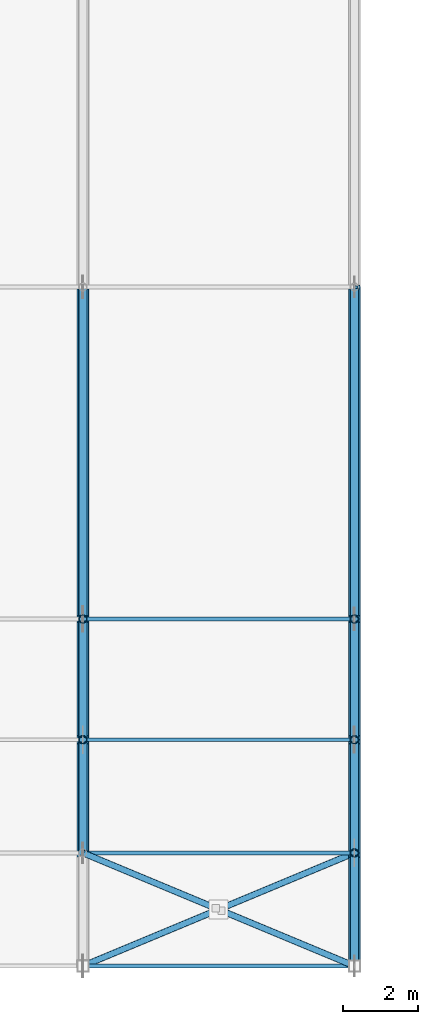
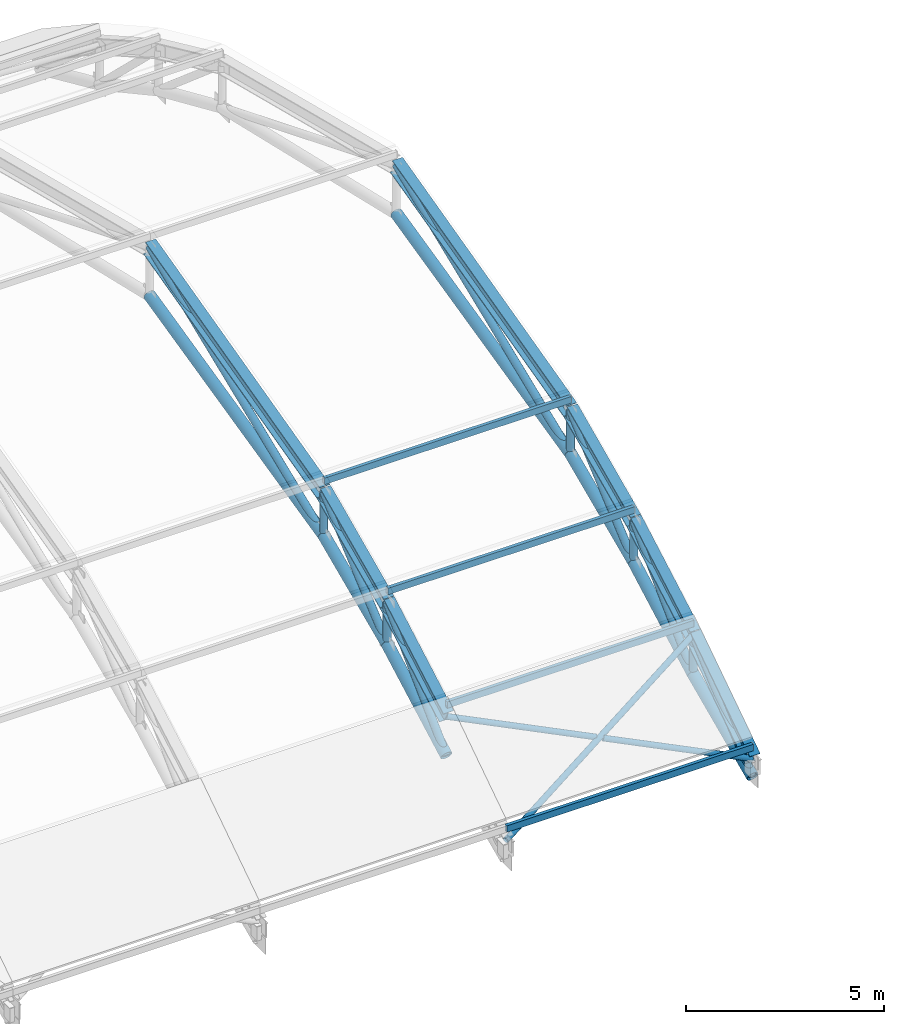
# One storey, part 19 of 63: 26 members, 7 beams.
"""IFC4 building model written with IfcOpenShell, lengths in metres."""

import ifcopenshell
import ifcopenshell.guid

model = None  # the IFC model being written
_history = None  # IfcOwnerHistory: only IFC2X3 demands one
_inside = {}  # id of a spatial element -> (the spatial element, [elements in it])
_under = {}  # id of a project, library or spatial element -> (it, [spatial elements below it])
_declared = {}  # id of a project -> (the project, [libraries it declares])
_typed = {}  # id of a type object -> (the type object, [elements of that type])
_made_of = {}  # id of a material, layer set ... -> (it, [elements and type objects made of it])


def new_model(schema):
    """Start an empty IFC model of exactly this schema.

    Asked for "IFC4X3", IfcOpenShell would pick the latest addendum, in which some entities
    have other attributes; the version numbers below select the first issue.
    IFC2X3 requires an IfcOwnerHistory on every rooted entity: one is made here for all.
    """
    global model, _history
    if schema == "IFC4X3":
        model = ifcopenshell.file(schema_version=(4, 3, 0, 0))
    else:
        model = ifcopenshell.file(schema=schema)
    _inside.clear()
    _under.clear()
    _declared.clear()
    _typed.clear()
    _made_of.clear()
    _history = None
    if model.schema == "IFC2X3":
        org = make("IfcOrganization", Name="unknown")
        user = make(
            "IfcPersonAndOrganization",
            ThePerson=make("IfcPerson", FamilyName="unknown"),
            TheOrganization=org,
        )
        app = make(
            "IfcApplication",
            ApplicationDeveloper=org,
            Version="unknown",
            ApplicationFullName="unknown",
            ApplicationIdentifier="unknown",
        )
        _history = make(
            "IfcOwnerHistory",
            OwningUser=user,
            OwningApplication=app,
            ChangeAction="ADDED",
            CreationDate=0,
        )
    return model


def make(cls, **values):
    """One entity of the class cls with the attributes given. An attribute that is None is left unset."""
    return model.create_entity(
        cls, **{name: value for name, value in values.items() if value is not None}
    )


def rooted(cls, **values):
    """An entity with a GlobalId (a new one), such as an element, a storey or a relation."""
    return make(cls, GlobalId=ifcopenshell.guid.new(), OwnerHistory=_history, **values)


def si_unit(unit_type, name, prefix=None):
    """IfcSIUnit, for example si_unit("LENGTHUNIT", "METRE", prefix="MILLI")."""
    return make("IfcSIUnit", UnitType=unit_type, Prefix=prefix, Name=name)


def assignment(units):
    """IfcUnitAssignment: the units of a project."""
    return None if units is None else make("IfcUnitAssignment", Units=units)


def point(xyz):
    """IfcCartesianPoint."""
    return None if xyz is None else make("IfcCartesianPoint", Coordinates=xyz)


def direction(xyz):
    """IfcDirection."""
    return None if xyz is None else make("IfcDirection", DirectionRatios=xyz)


def frame(location, z_axis=None, x_axis=None):
    """IfcAxis2Placement3D, a coordinate frame: its origin and axes. An axis left out is left unset."""
    return make(
        "IfcAxis2Placement3D",
        Location=point(location),
        Axis=direction(z_axis),
        RefDirection=direction(x_axis),
    )


def frame_2d(location, x_axis=None):
    """IfcAxis2Placement2D, a coordinate frame in the plane: its origin and x axis."""
    return make(
        "IfcAxis2Placement2D", Location=point(location), RefDirection=direction(x_axis)
    )


def origin():
    """The frame at (0, 0, 0) with its axes left unset."""
    return frame((0.0, 0.0, 0.0))


def origin_2d():
    """The frame at (0, 0) in the plane with its x axis left unset."""
    return frame_2d((0.0, 0.0))


def place(relative_to, where):
    """IfcLocalPlacement: puts the frame where relative to a parent placement (None: the world)."""
    return make(
        "IfcLocalPlacement", PlacementRelTo=relative_to, RelativePlacement=where
    )


def context(
    kind, dimensions, precision=None, world=None, true_north=None, identifier=None
):
    """IfcGeometricRepresentationContext, for example the 3D "Model" context."""
    return make(
        "IfcGeometricRepresentationContext",
        ContextIdentifier=identifier,
        ContextType=kind,
        CoordinateSpaceDimension=dimensions,
        Precision=precision,
        WorldCoordinateSystem=world,
        TrueNorth=true_north,
    )


def subcontext(parent, identifier, kind, view, scale=None):
    """IfcGeometricRepresentationSubContext, for example "Body" below "Model"."""
    return make(
        "IfcGeometricRepresentationSubContext",
        ContextIdentifier=identifier,
        ContextType=kind,
        ParentContext=parent,
        TargetScale=scale,
        TargetView=view,
    )


def project(units=None, contexts=None):
    """IfcProject with its units and contexts."""
    return rooted(
        "IfcProject",
        Name="project",
        RepresentationContexts=contexts,
        UnitsInContext=assignment(units),
    )


def spatial(cls, under=None, at=None, **own):
    """A site, building, storey or space (cls), placed at a placement, below another one or the project."""
    s = rooted(cls, ObjectPlacement=at, **own)
    if under is not None:
        _under.setdefault(under.id(), (under, []))[1].append(s)
    return s


def profile(cls, at=None, kind="AREA", **sizes):
    """A parametric profile (cls). Its sizes go by their IFC names, for example OverallWidth=200.0."""
    return make(cls, ProfileType=kind, Position=at, **sizes)


def hollow_rectangle(**sizes):
    """IfcRectangleHollowProfileDef."""
    return profile("IfcRectangleHollowProfileDef", **sizes)


def hollow_circle(**sizes):
    """IfcCircleHollowProfileDef."""
    return profile("IfcCircleHollowProfileDef", **sizes)


def i_section(**sizes):
    """IfcIShapeProfileDef."""
    return profile("IfcIShapeProfileDef", **sizes)


def extrude(swept, where, along, depth):
    """IfcExtrudedAreaSolid: the profile swept, set in the frame where, extruded along a direction by depth."""
    return make(
        "IfcExtrudedAreaSolid",
        SweptArea=swept,
        Position=where,
        ExtrudedDirection=direction(along),
        Depth=depth,
    )


def shape(context_of_items, identifier, shape_type, items):
    """IfcShapeRepresentation: the items that make up one representation, for example the "Body"."""
    return make(
        "IfcShapeRepresentation",
        ContextOfItems=context_of_items,
        RepresentationIdentifier=identifier,
        RepresentationType=shape_type,
        Items=items,
    )


def material(Name=None, Category=None):
    """IfcMaterial."""
    return make("IfcMaterial", Name=Name, Category=Category)


def material_profile(
    of_material, cross_section, Name=None, Category=None, Priority=None
):
    """IfcMaterialProfile: a cross section and its material."""
    return make(
        "IfcMaterialProfile",
        Name=Name,
        Material=of_material,
        Profile=cross_section,
        Priority=Priority,
        Category=Category,
    )


def profile_set(profiles, Name=None, composite=None):
    """IfcMaterialProfileSet."""
    return make(
        "IfcMaterialProfileSet",
        Name=Name,
        MaterialProfiles=profiles,
        CompositeProfile=composite,
    )


def made_of(thing, what):
    """Note that an element or type object is made of a material, layer set ...; save() writes the relation."""
    if what is not None:
        _made_of.setdefault(what.id(), (what, []))[1].append(thing)
    return thing


def type_object(cls, material=None, **own):
    """A type object (cls), such as IfcWallType, which elements share."""
    return made_of(rooted(cls, **own), material)


def element(
    cls,
    number,
    at=None,
    inside=None,
    cuts=None,
    type_object=None,
    material=None,
    context=None,
    identifier="Body",
    shape_type=None,
    held_by="IfcProductDefinitionShape",
    body=None,
    shapes=None,
    **own,
):
    """One element of the class cls, such as IfcWall. Its Tag is "e" and its number.

    at: its placement. inside: the storey or other place that contains it. cuts: it is an
    opening in that element (IfcRelVoidsElement). A single representation is given by context,
    identifier, shape_type and body (its items); several are given by shapes. held_by: the class
    of the entity that holds the representations. save() writes the other relations.
    """
    e = rooted(cls, Tag="e%d" % number, ObjectPlacement=at, **own)
    if body is not None:
        shapes = [shape(context, identifier, shape_type, body)]
    if shapes is not None:
        e.Representation = make(held_by, Representations=shapes)
    if inside is not None:
        _inside.setdefault(inside.id(), (inside, []))[1].append(e)
    if cuts is not None:
        rooted(
            "IfcRelVoidsElement", RelatingBuildingElement=cuts, RelatedOpeningElement=e
        )
    if type_object is not None:
        _typed.setdefault(type_object.id(), (type_object, []))[1].append(e)
    return made_of(e, material)


def aggregate(whole, parts):
    """IfcRelAggregates: a whole, such as a stair, and the parts it consists of."""
    return rooted("IfcRelAggregates", RelatingObject=whole, RelatedObjects=parts)


def save(model, path):
    """Write the relations noted so far, then the file.

    IfcRelAggregates (storeys below a building ...), IfcRelContainedInSpatialStructure (elements
    in a storey), IfcRelDefinesByType, IfcRelAssociatesMaterial and IfcRelDeclares: one each for
    every whole, place, type object, material and project.
    """
    for whole, parts in _under.values():
        aggregate(whole, parts)
    for where, things in _inside.values():
        rooted(
            "IfcRelContainedInSpatialStructure",
            RelatedElements=things,
            RelatingStructure=where,
        )
    for kind, things in _typed.values():
        rooted("IfcRelDefinesByType", RelatedObjects=things, RelatingType=kind)
    for what, things in _made_of.values():
        rooted("IfcRelAssociatesMaterial", RelatedObjects=things, RelatingMaterial=what)
    for by, libraries in _declared.values():
        rooted("IfcRelDeclares", RelatingContext=by, RelatedDefinitions=libraries)
    model.write(path)


model = new_model("IFC4")

# Units and contexts
model_context = context("Model", 3, precision=1e-05, world=origin(), true_north=direction((0.0, 1.0)))
body_context = subcontext(model_context, "Body", "Model", "MODEL_VIEW")
ifc_project = project(units=[si_unit("LENGTHUNIT", "METRE"), si_unit("AREAUNIT", "SQUARE_METRE"), si_unit("VOLUMEUNIT", "CUBIC_METRE"), si_unit("PLANEANGLEUNIT", "RADIAN"), si_unit("MASSUNIT", "GRAM", prefix="KILO")], contexts=[model_context])

# Site, building, storey
site_placement = place(None, origin())
site = spatial("IfcSite", under=ifc_project, at=site_placement, CompositionType="ELEMENT")
building_placement = place(site_placement, origin())
building = spatial("IfcBuilding", under=site, at=building_placement, Name="Solvadek Multi-Sports Hall", CompositionType="ELEMENT")
storey_placement = place(building_placement, frame((0.0, 0.0, 19.199951171875)))
storey = spatial("IfcBuildingStorey", under=building, at=storey_placement, Name="RF", CompositionType="ELEMENT", Elevation=19.199951171875)

# Members
ifc_material_1 = material(Name="Steel E350 (350 MPa)", Category="steel")
ifc_material_profile_1 = material_profile(ifc_material_1, hollow_circle(Radius=0.084228515625, WallThickness=0.008056640625, at=origin_2d()), Name="CHS 168.3x8")
ifc_profile_set_1 = profile_set([ifc_material_profile_1], Name="Steel E350 (350 MPa)")
member_type_1 = type_object("IfcMemberType", Name="STR-BRC-CHS168", PredefinedType="BRACE", material=ifc_profile_set_1)
member_1_placement = place(storey_placement, frame((129.60009765625, 6.0, -3.550048828125), z_axis=(0.894028733366, 0.372514498511, 0.248888674542), x_axis=(-0.384617607118, 0.923075997031, 0.0)))
element("IfcMember", 1, at=member_1_placement, inside=storey, type_object=member_type_1, Name="V1 Roof Plan Brace #9", PredefinedType="BRACE", context=body_context, shape_type="SweptSolid", body=[
    extrude(hollow_circle(Radius=0.084228515625, WallThickness=0.008056640625, at=origin_2d()), origin(), (0.0, 0.0, 1.0), 8.053466796875),
])
member_2_placement = place(storey_placement, frame((129.60009765625, 9.0, -1.545654296875), z_axis=(0.894016396206, -0.372548198419, -0.248882548944), x_axis=(0.384651776791, 0.923061758828, 0.0)))
element("IfcMember", 2, at=member_2_placement, inside=storey, type_object=member_type_1, Name="V1 Roof Plan Half-Brace #10A", PredefinedType="BRACE", context=body_context, shape_type="SweptSolid", body=[
    extrude(hollow_circle(Radius=0.084228515625, WallThickness=0.008056640625, at=origin_2d()), origin(), (0.0, 0.0, 1.0), 3.9345703125),
])
member_3_placement = place(storey_placement, frame((133.2822265625, 7.4658203125, -2.57080078125), z_axis=(0.894028850757, -0.372527532788, -0.248868743173), x_axis=(0.384629030944, 0.923071236988, 0.0)))
element("IfcMember", 3, at=member_3_placement, inside=storey, type_object=member_type_1, Name="V1 Roof Plan Half-Brace #10B", PredefinedType="BRACE", context=body_context, shape_type="SweptSolid", body=[
    extrude(hollow_circle(Radius=0.084228515625, WallThickness=0.008056640625, at=origin_2d()), origin(), (0.0, 0.0, 1.0), 3.934814453125),
])
ifc_material_profile_2 = material_profile(ifc_material_1, hollow_circle(Radius=0.109619140625, WallThickness=0.010009765625, at=origin_2d()), Name="CHS 219.1x10")
ifc_profile_set_2 = profile_set([ifc_material_profile_2], Name="Steel E350 (350 MPa)")
member_type_2 = type_object("IfcMemberType", Name="STR-BRC-CHS219", PredefinedType="BRACE", material=ifc_profile_set_2)
member_4_placement = place(storey_placement, frame((129.60009765625, 9.0, -2.754150390625), z_axis=(0.0, 0.718473942669, 0.695553875487), x_axis=(-1.0, 0.0, 0.0)))
element("IfcMember", 4, at=member_4_placement, inside=storey, type_object=member_type_2, Name="v1 Truss 7 Web Diagonal 2", PredefinedType="BRACE", context=body_context, shape_type="SweptSolid", body=[
    extrude(hollow_circle(Radius=0.109619140625, WallThickness=0.010009765625, at=origin_2d()), origin(), (0.0, 0.0, 1.0), 4.175537109375),
])
member_5_placement = place(storey_placement, frame((129.60009765625, 12.0, -1.11669921875), z_axis=(0.0, 0.0, 1.0), x_axis=(1.0, 0.0, 0.0)))
element("IfcMember", 5, at=member_5_placement, inside=storey, type_object=member_type_2, Name="v1 Truss 7 Web Vertical 2", PredefinedType="BRACE", context=body_context, shape_type="SweptSolid", body=[
    extrude(hollow_circle(Radius=0.109619140625, WallThickness=0.010009765625, at=origin_2d()), origin(), (0.0, 0.0, 1.0), 1.266845703125),
])
member_6_placement = place(storey_placement, frame((129.60009765625, 12.0, -1.11669921875), z_axis=(0.0, 0.760074683686, 0.649835729411), x_axis=(-1.0, 0.0, 0.0)))
element("IfcMember", 6, at=member_6_placement, inside=storey, type_object=member_type_2, Name="v1 Truss 7 Web Diagonal 3", PredefinedType="BRACE", context=body_context, shape_type="SweptSolid", body=[
    extrude(hollow_circle(Radius=0.109619140625, WallThickness=0.010009765625, at=origin_2d()), origin(), (0.0, 0.0, 1.0), 4.2099609375),
])
member_7_placement = place(storey_placement, frame((129.60009765625, 15.199951171875, 0.2900390625), z_axis=(0.0, 0.0, 1.0), x_axis=(1.0, 0.0, 0.0)))
element("IfcMember", 7, at=member_7_placement, inside=storey, type_object=member_type_2, Name="v1 Truss 7 Web Vertical 3", PredefinedType="BRACE", context=body_context, shape_type="SweptSolid", body=[
    extrude(hollow_circle(Radius=0.109619140625, WallThickness=0.010009765625, at=origin_2d()), origin(), (0.0, 0.0, 1.0), 1.3291015625),
])
member_8_placement = place(storey_placement, frame((129.60009765625, 15.199951171875, 0.2900390625), z_axis=(0.0, 0.927015158586, 0.375023860244), x_axis=(-1.0, 0.0, 0.0)))
element("IfcMember", 8, at=member_8_placement, inside=storey, type_object=member_type_2, Name="v1 Truss 7 Web Diagonal 4", PredefinedType="BRACE", context=body_context, shape_type="SweptSolid", body=[
    extrude(hollow_circle(Radius=0.109619140625, WallThickness=0.010009765625, at=origin_2d()), origin(), (0.0, 0.0, 1.0), 9.492919921875),
])
member_9_placement = place(storey_placement, frame((136.800048828125, 6.0, -4.099853515625), z_axis=(0.0, 0.761413137307, 0.648266946818), x_axis=(-1.0, 0.0, 0.0)))
element("IfcMember", 9, at=member_9_placement, inside=storey, type_object=member_type_2, Name="v1 Truss 8 Web Diagonal 1", PredefinedType="BRACE", context=body_context, shape_type="SweptSolid", body=[
    extrude(hollow_circle(Radius=0.109619140625, WallThickness=0.010009765625, at=origin_2d()), origin(), (0.0, 0.0, 1.0), 3.93994140625),
])
member_10_placement = place(storey_placement, frame((136.800048828125, 9.0, -2.754150390625), z_axis=(0.0, 0.0, 1.0), x_axis=(1.0, 0.0, 0.0)))
element("IfcMember", 10, at=member_10_placement, inside=storey, type_object=member_type_2, Name="v1 Truss 8 Web Vertical 1", PredefinedType="BRACE", context=body_context, shape_type="SweptSolid", body=[
    extrude(hollow_circle(Radius=0.109619140625, WallThickness=0.010009765625, at=origin_2d()), origin(), (0.0, 0.0, 1.0), 1.20849609375),
])
member_11_placement = place(storey_placement, frame((136.800048828125, 9.0, -2.754150390625), z_axis=(0.0, 0.718473942669, 0.695553875487), x_axis=(-1.0, 0.0, 0.0)))
element("IfcMember", 11, at=member_11_placement, inside=storey, type_object=member_type_2, Name="v1 Truss 8 Web Diagonal 2", PredefinedType="BRACE", context=body_context, shape_type="SweptSolid", body=[
    extrude(hollow_circle(Radius=0.109619140625, WallThickness=0.010009765625, at=origin_2d()), origin(), (0.0, 0.0, 1.0), 4.175537109375),
])
member_12_placement = place(storey_placement, frame((136.800048828125, 12.0, -1.11669921875), z_axis=(0.0, 0.0, 1.0), x_axis=(1.0, 0.0, 0.0)))
element("IfcMember", 12, at=member_12_placement, inside=storey, type_object=member_type_2, Name="v1 Truss 8 Web Vertical 2", PredefinedType="BRACE", context=body_context, shape_type="SweptSolid", body=[
    extrude(hollow_circle(Radius=0.109619140625, WallThickness=0.010009765625, at=origin_2d()), origin(), (0.0, 0.0, 1.0), 1.266845703125),
])
member_13_placement = place(storey_placement, frame((136.800048828125, 12.0, -1.11669921875), z_axis=(0.0, 0.760074683686, 0.649835729411), x_axis=(-1.0, 0.0, 0.0)))
element("IfcMember", 13, at=member_13_placement, inside=storey, type_object=member_type_2, Name="v1 Truss 8 Web Diagonal 3", PredefinedType="BRACE", context=body_context, shape_type="SweptSolid", body=[
    extrude(hollow_circle(Radius=0.109619140625, WallThickness=0.010009765625, at=origin_2d()), origin(), (0.0, 0.0, 1.0), 4.2099609375),
])
member_14_placement = place(storey_placement, frame((136.800048828125, 15.199951171875, 0.2900390625), z_axis=(0.0, 0.0, 1.0), x_axis=(1.0, 0.0, 0.0)))
element("IfcMember", 14, at=member_14_placement, inside=storey, type_object=member_type_2, Name="v1 Truss 8 Web Vertical 3", PredefinedType="BRACE", context=body_context, shape_type="SweptSolid", body=[
    extrude(hollow_circle(Radius=0.109619140625, WallThickness=0.010009765625, at=origin_2d()), origin(), (0.0, 0.0, 1.0), 1.3291015625),
])
member_15_placement = place(storey_placement, frame((136.800048828125, 15.199951171875, 0.2900390625), z_axis=(0.0, 0.927015158586, 0.375023860244), x_axis=(-1.0, 0.0, 0.0)))
element("IfcMember", 15, at=member_15_placement, inside=storey, type_object=member_type_2, Name="v1 Truss 8 Web Diagonal 4", PredefinedType="BRACE", context=body_context, shape_type="SweptSolid", body=[
    extrude(hollow_circle(Radius=0.109619140625, WallThickness=0.010009765625, at=origin_2d()), origin(), (0.0, 0.0, 1.0), 9.492919921875),
])
ifc_material_profile_3 = material_profile(ifc_material_1, hollow_circle(Radius=0.161865234375, WallThickness=0.012451171875, at=origin_2d()), Name="CHS 323.9x12.5")
ifc_profile_set_3 = profile_set([ifc_material_profile_3], Name="Steel E350 (350 MPa)")
member_type_3 = type_object("IfcMemberType", Name="STR-CHD-CHS323", PredefinedType="CHORD", material=ifc_profile_set_3)
member_16_placement = place(storey_placement, frame((129.60009765625, 9.0, -2.754150390625), z_axis=(0.0, 0.877761773463, 0.479097348195), x_axis=(-1.0, 0.0, 0.0)))
element("IfcMember", 16, at=member_16_placement, inside=storey, type_object=member_type_3, Name="v1 Arched Truss 7 Bottom Chord 2", PredefinedType="CHORD", context=body_context, shape_type="SweptSolid", body=[
    extrude(hollow_circle(Radius=0.161865234375, WallThickness=0.012451171875, at=origin_2d()), origin(), (0.0, 0.0, 1.0), 3.417724609375),
])
member_17_placement = place(storey_placement, frame((129.60009765625, 12.0, -1.11669921875), z_axis=(0.0, 0.915445777878, 0.402441334564), x_axis=(-1.0, 0.0, 0.0)))
element("IfcMember", 17, at=member_17_placement, inside=storey, type_object=member_type_3, Name="v1 Arched Truss 7 Bottom Chord 3", PredefinedType="CHORD", context=body_context, shape_type="SweptSolid", body=[
    extrude(hollow_circle(Radius=0.161865234375, WallThickness=0.012451171875, at=origin_2d()), origin(), (0.0, 0.0, 1.0), 3.49560546875),
])
member_18_placement = place(storey_placement, frame((129.60009765625, 15.199951171875, 0.2900390625), z_axis=(0.0, 0.973676572462, 0.227934052391), x_axis=(-1.0, 0.0, 0.0)))
element("IfcMember", 18, at=member_18_placement, inside=storey, type_object=member_type_3, Name="v1 Arched Truss 7 Bottom Chord 4", PredefinedType="CHORD", context=body_context, shape_type="SweptSolid", body=[
    extrude(hollow_circle(Radius=0.161865234375, WallThickness=0.012451171875, at=origin_2d()), origin(), (0.0, 0.0, 1.0), 9.037841796875),
])
member_19_placement = place(storey_placement, frame((136.800048828125, 6.0, -4.099853515625), z_axis=(0.0, 0.912409902676, 0.409277619104), x_axis=(-1.0, 0.0, 0.0)))
element("IfcMember", 19, at=member_19_placement, inside=storey, type_object=member_type_3, Name="v1 Arched Truss 8 Bottom Chord 1", PredefinedType="CHORD", context=body_context, shape_type="SweptSolid", body=[
    extrude(hollow_circle(Radius=0.161865234375, WallThickness=0.012451171875, at=origin_2d()), origin(), (0.0, 0.0, 1.0), 3.2880859375),
])
member_20_placement = place(storey_placement, frame((136.800048828125, 9.0, -2.754150390625), z_axis=(0.0, 0.877761773463, 0.479097348195), x_axis=(-1.0, 0.0, 0.0)))
element("IfcMember", 20, at=member_20_placement, inside=storey, type_object=member_type_3, Name="v1 Arched Truss 8 Bottom Chord 2", PredefinedType="CHORD", context=body_context, shape_type="SweptSolid", body=[
    extrude(hollow_circle(Radius=0.161865234375, WallThickness=0.012451171875, at=origin_2d()), origin(), (0.0, 0.0, 1.0), 3.417724609375),
])
member_21_placement = place(storey_placement, frame((136.800048828125, 12.0, -1.11669921875), z_axis=(0.0, 0.915445777878, 0.402441334564), x_axis=(-1.0, 0.0, 0.0)))
element("IfcMember", 21, at=member_21_placement, inside=storey, type_object=member_type_3, Name="v1 Arched Truss 8 Bottom Chord 3", PredefinedType="CHORD", context=body_context, shape_type="SweptSolid", body=[
    extrude(hollow_circle(Radius=0.161865234375, WallThickness=0.012451171875, at=origin_2d()), origin(), (0.0, 0.0, 1.0), 3.49560546875),
])
member_22_placement = place(storey_placement, frame((136.800048828125, 15.199951171875, 0.2900390625), z_axis=(0.0, 0.973676572462, 0.227934052391), x_axis=(-1.0, 0.0, 0.0)))
element("IfcMember", 22, at=member_22_placement, inside=storey, type_object=member_type_3, Name="v1 Arched Truss 8 Bottom Chord 4", PredefinedType="CHORD", context=body_context, shape_type="SweptSolid", body=[
    extrude(hollow_circle(Radius=0.161865234375, WallThickness=0.012451171875, at=origin_2d()), origin(), (0.0, 0.0, 1.0), 9.037841796875),
])
ifc_material_2 = material(Name="Steel E250 (250 MPa)", Category="steel")
ifc_material_profile_4 = material_profile(ifc_material_2, hollow_rectangle(XDim=0.10009765625, YDim=0.199951171875, WallThickness=0.008056640625, at=origin_2d()), Name="RHS 200x100x8")
ifc_profile_set_4 = profile_set([ifc_material_profile_4], Name="Steel E250 (250 MPa)")
member_type_4 = type_object("IfcMemberType", Name="STR-PUR-RHS200", PredefinedType="PURLIN", material=ifc_profile_set_4)
for number, where, z_axis, x_axis, name in (
    (23, (129.60009765625, 6.0, -3.17529296875), (1.0, 0.0, 0.0), (0.0, 1.0, 0.0), "V1 Roof Purlin #55"),
    (24, (129.60009765625, 9.0, -1.171142578125), (1.0, 0.0, 0.0), (0.0, 1.0, 0.0), "V1 Roof Purlin #56"),
    (25, (129.60009765625, 12.0, 0.512451171875), (1.0, 0.0, 0.0), (0.0, 1.0, 0.0), "V1 Roof Purlin #57"),
    (26, (129.60009765625, 15.199951171875, 1.970703125), (1.0, 0.0, 0.0), (0.0, 1.0, 0.0), "V1 Roof Purlin #58"),
):
    element("IfcMember", number, at=place(storey_placement, frame(where, z_axis=z_axis, x_axis=x_axis)), inside=storey, type_object=member_type_4, Name=name, PredefinedType="PURLIN", context=body_context, shape_type="SweptSolid", body=[
        extrude(hollow_rectangle(XDim=0.10009765625, YDim=0.199951171875, WallThickness=0.008056640625, at=origin_2d()), origin(), (0.0, 0.0, 1.0), 7.199951171875),
    ])

# Beams
ifc_material_profile_5 = material_profile(ifc_material_1, i_section(OverallWidth=0.300048828125, OverallDepth=0.449951171875, WebThickness=0.013916015625, FlangeThickness=0.02587890625, at=origin_2d()), Name="WPB 450")
ifc_profile_set_5 = profile_set([ifc_material_profile_5], Name="Steel E350 (350 MPa)")
beam_type = type_object("IfcBeamType", Name="STR-TRS-WPB450", PredefinedType="USERDEFINED", material=ifc_profile_set_5)
beam_1_placement = place(storey_placement, frame((129.60009765625, 9.0, -1.545654296875), z_axis=(0.0, 0.870544365607, 0.492089938436), x_axis=(-1.0, 0.0, 0.0)))
element("IfcBeam", 27, at=beam_1_placement, inside=storey, type_object=beam_type, Name="v1 Arched Truss 7 Top Chord 2", ObjectType="ROOF TRUSS", PredefinedType="USERDEFINED", context=body_context, shape_type="SweptSolid", body=[
    extrude(i_section(OverallWidth=0.300048828125, OverallDepth=0.449951171875, WebThickness=0.013916015625, FlangeThickness=0.02587890625, at=origin_2d()), origin(), (0.0, 0.0, 1.0), 3.446044921875),
])
beam_2_placement = place(storey_placement, frame((129.60009765625, 12.0, 0.150146484375), z_axis=(0.0, 0.908811875669, 0.417206153651), x_axis=(-1.0, 0.0, 0.0)))
element("IfcBeam", 28, at=beam_2_placement, inside=storey, type_object=beam_type, Name="v1 Arched Truss 7 Top Chord 3", ObjectType="ROOF TRUSS", PredefinedType="USERDEFINED", context=body_context, shape_type="SweptSolid", body=[
    extrude(i_section(OverallWidth=0.300048828125, OverallDepth=0.449951171875, WebThickness=0.013916015625, FlangeThickness=0.02587890625, at=origin_2d()), origin(), (0.0, 0.0, 1.0), 3.52099609375),
])
beam_3_placement = place(storey_placement, frame((129.60009765625, 15.199951171875, 1.619140625), z_axis=(0.0, 0.969335170668, 0.245742399488), x_axis=(-1.0, 0.0, 0.0)))
element("IfcBeam", 29, at=beam_3_placement, inside=storey, type_object=beam_type, Name="v1 Arched Truss 7 Top Chord 4", ObjectType="ROOF TRUSS", PredefinedType="USERDEFINED", context=body_context, shape_type="SweptSolid", body=[
    extrude(i_section(OverallWidth=0.300048828125, OverallDepth=0.449951171875, WebThickness=0.013916015625, FlangeThickness=0.02587890625, at=origin_2d()), origin(), (0.0, 0.0, 1.0), 9.078369140625),
])
beam_4_placement = place(storey_placement, frame((136.800048828125, 6.0, -3.550048828125), z_axis=(0.0, 0.831487713405, 0.55554314185), x_axis=(-1.0, 0.0, 0.0)))
element("IfcBeam", 30, at=beam_4_placement, inside=storey, type_object=beam_type, Name="v1 Arched Truss 8 Top Chord 1", ObjectType="ROOF TRUSS", PredefinedType="USERDEFINED", context=body_context, shape_type="SweptSolid", body=[
    extrude(i_section(OverallWidth=0.300048828125, OverallDepth=0.449951171875, WebThickness=0.013916015625, FlangeThickness=0.02587890625, at=origin_2d()), origin(), (0.0, 0.0, 1.0), 3.60791015625),
])
beam_5_placement = place(storey_placement, frame((136.800048828125, 9.0, -1.545654296875), z_axis=(0.0, 0.870544365607, 0.492089938436), x_axis=(-1.0, 0.0, 0.0)))
element("IfcBeam", 31, at=beam_5_placement, inside=storey, type_object=beam_type, Name="v1 Arched Truss 8 Top Chord 2", ObjectType="ROOF TRUSS", PredefinedType="USERDEFINED", context=body_context, shape_type="SweptSolid", body=[
    extrude(i_section(OverallWidth=0.300048828125, OverallDepth=0.449951171875, WebThickness=0.013916015625, FlangeThickness=0.02587890625, at=origin_2d()), origin(), (0.0, 0.0, 1.0), 3.446044921875),
])
beam_6_placement = place(storey_placement, frame((136.800048828125, 12.0, 0.150146484375), z_axis=(0.0, 0.908811875669, 0.417206153651), x_axis=(-1.0, 0.0, 0.0)))
element("IfcBeam", 32, at=beam_6_placement, inside=storey, type_object=beam_type, Name="v1 Arched Truss 8 Top Chord 3", ObjectType="ROOF TRUSS", PredefinedType="USERDEFINED", context=body_context, shape_type="SweptSolid", body=[
    extrude(i_section(OverallWidth=0.300048828125, OverallDepth=0.449951171875, WebThickness=0.013916015625, FlangeThickness=0.02587890625, at=origin_2d()), origin(), (0.0, 0.0, 1.0), 3.52099609375),
])
beam_7_placement = place(storey_placement, frame((136.800048828125, 15.199951171875, 1.619140625), z_axis=(0.0, 0.969335170668, 0.245742399488), x_axis=(-1.0, 0.0, 0.0)))
element("IfcBeam", 33, at=beam_7_placement, inside=storey, type_object=beam_type, Name="v1 Arched Truss 8 Top Chord 4", ObjectType="ROOF TRUSS", PredefinedType="USERDEFINED", context=body_context, shape_type="SweptSolid", body=[
    extrude(i_section(OverallWidth=0.300048828125, OverallDepth=0.449951171875, WebThickness=0.013916015625, FlangeThickness=0.02587890625, at=origin_2d()), origin(), (0.0, 0.0, 1.0), 9.078369140625),
])

save(model, "model.ifc")
